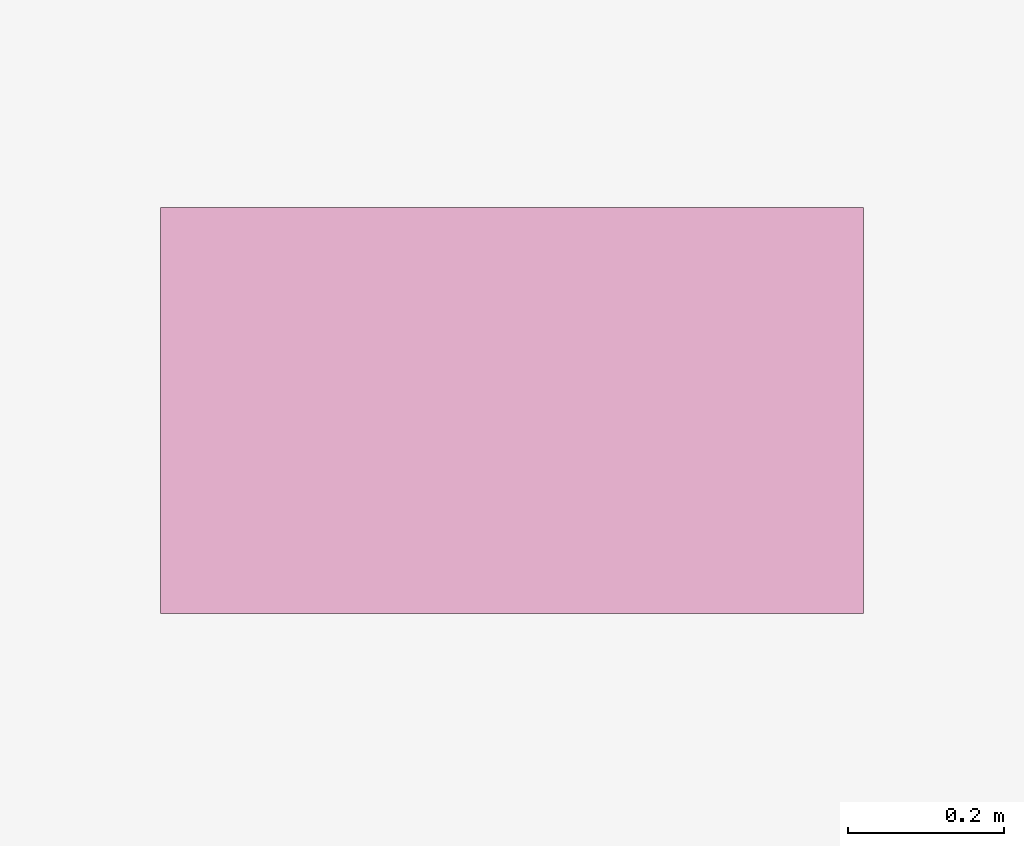
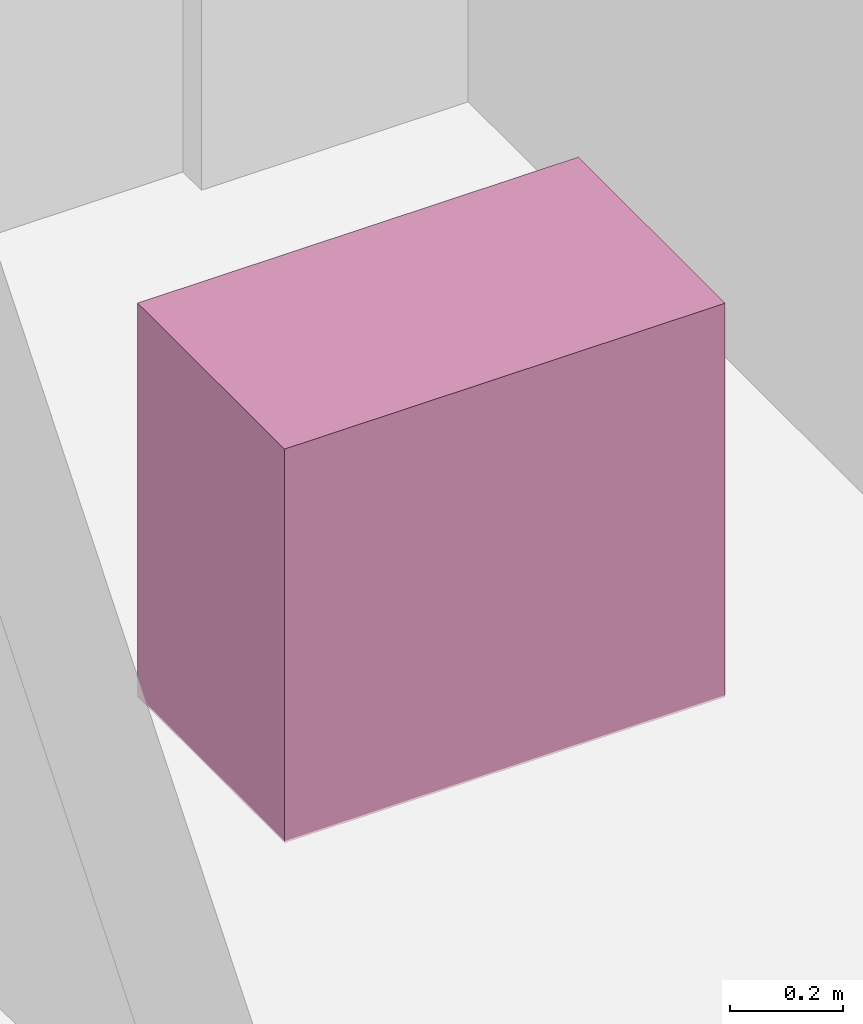
# One storey, part 31 of 31: 1 furnishing.
"""IFC4 building model written with IfcOpenShell, lengths in metres."""

from ifc_helpers import new_model, si_unit, direction, frame, origin, origin_2d, place, context, subcontext, project, spatial, rectangle, extrude, material, type_object, element, save


model = new_model("IFC4")

# Units and contexts
model_context = context("Model", 3, precision=1e-05, world=origin(), true_north=direction((0.0, 1.0)))
body_context = subcontext(model_context, "Body", "Model", "MODEL_VIEW")
ifc_project = project(units=[si_unit("LENGTHUNIT", "METRE"), si_unit("AREAUNIT", "SQUARE_METRE"), si_unit("VOLUMEUNIT", "CUBIC_METRE"), si_unit("PLANEANGLEUNIT", "RADIAN"), si_unit("MASSUNIT", "GRAM", prefix="KILO")], contexts=[model_context])

# Site, building, storey
site_placement = place(None, origin())
site = spatial("IfcSite", under=ifc_project, at=site_placement, CompositionType="ELEMENT")
building_placement = place(site_placement, origin())
building = spatial("IfcBuilding", under=site, at=building_placement, Name="Vorneva Point Tower", CompositionType="ELEMENT")
storey_placement = place(building_placement, frame((0.0, 0.0, 132.60009765625)))
storey = spatial("IfcBuildingStorey", under=building, at=storey_placement, Name="L35", CompositionType="ELEMENT", Elevation=132.60009765625)

# Furnishing
ifc_material = material(Name="Vitreous china and granite top", Category="masonry")
furniture_type = type_object("IfcFurnitureType", Name="FUR-VAN-900", AssemblyPlace="NOTDEFINED", PredefinedType="NOTDEFINED", material=ifc_material)
furnishing_placement = place(storey_placement, frame((34.52490234375, 32.1201171875, -0.005126953125), z_axis=(0.0, 0.0, 1.0), x_axis=(1.0, 0.0, 0.0)))
element("IfcFurnishingElement", 1, at=furnishing_placement, inside=storey, type_object=furniture_type, Name="L35 Accessible WC Vanity Unit", ObjectType="L35 Accessible WC Vanity Unit", context=body_context, shape_type="SweptSolid", body=[
    extrude(rectangle(XDim=0.89990234375, YDim=0.52001953125, at=origin_2d()), origin(), (0.0, 0.0, 1.0), 0.85009765625),
])

save(model, "model.ifc")
